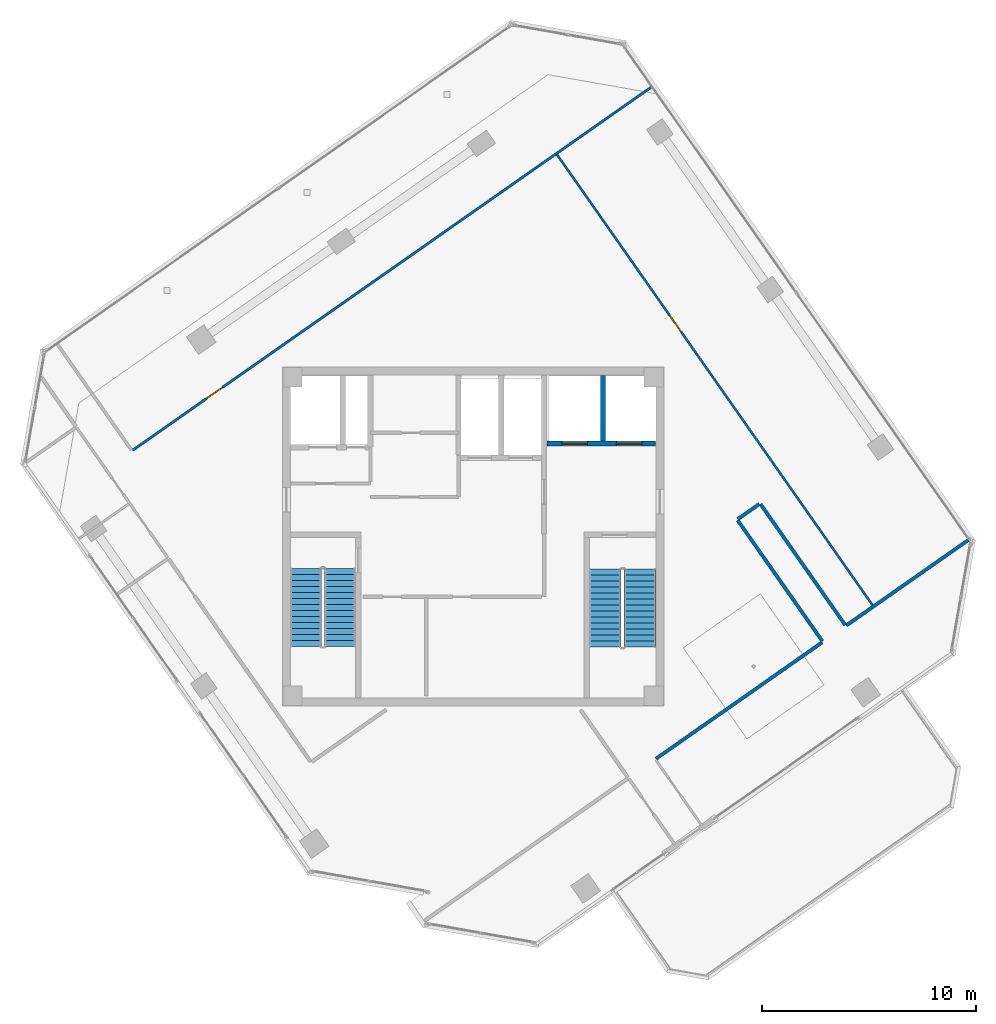
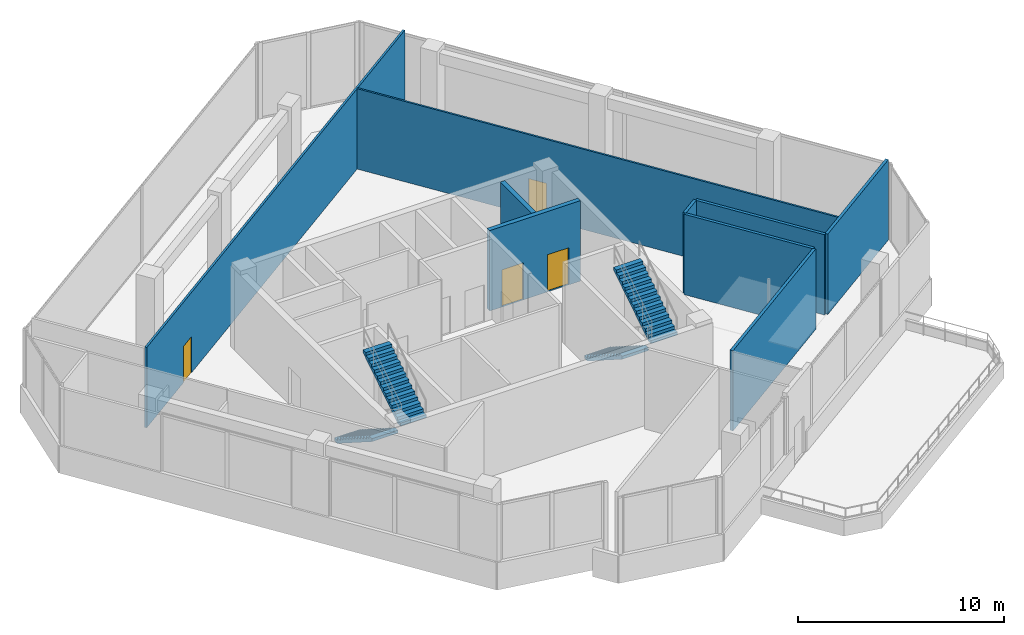
# One storey, part 12 of 16: 9 walls, 4 doors, 4 stair flights, 4 openings, 2 elements without a shape of their own.
"""IFC4 building model written with IfcOpenShell, lengths in metres."""

from ifc_helpers import new_model, si_unit, direction, frame, frame_2d, origin, place, context, subcontext, project, spatial, polyline, rectangle, outline, extrude, source, transform, mapped, material, layer, layer_set, type_object, element, fill, aggregate, save


model = new_model("IFC4")

# Units and contexts
model_context = context("Model", 3, precision=1e-05, world=origin(), true_north=direction((0.0, 1.0)))
body_context = subcontext(model_context, "Body", "Model", "MODEL_VIEW")
ifc_project = project(units=[si_unit("LENGTHUNIT", "METRE"), si_unit("AREAUNIT", "SQUARE_METRE"), si_unit("VOLUMEUNIT", "CUBIC_METRE"), si_unit("PLANEANGLEUNIT", "RADIAN"), si_unit("MASSUNIT", "GRAM", prefix="KILO")], contexts=[model_context])

# Site, building, storey
site_placement = place(None, origin())
site = spatial("IfcSite", under=ifc_project, at=site_placement, CompositionType="ELEMENT")
building_placement = place(site_placement, origin())
building = spatial("IfcBuilding", under=site, at=building_placement, Name="Torre Montelarca", CompositionType="ELEMENT")
storey_placement = place(building_placement, frame((0.0, 0.0, 293.800048828125)))
storey = spatial("IfcBuildingStorey", under=building, at=storey_placement, Name="L66", CompositionType="ELEMENT", Elevation=293.800048828125)

# Wall, openings, doors
ifc_material_1 = material(Name="Concrete C40/50", Category="concrete")
ifc_layer_1 = layer(ifc_material_1, 0.25, Name="Concrete C40/50", Category="concrete")
ifc_layer_set_1 = layer_set([ifc_layer_1], Name="Concrete C40/50")
wall_type_1 = type_object("IfcWallType", Name="CW-SHAFT-250", PredefinedType="SHEAR", material=ifc_layer_set_1)
wall_1_placement = place(storey_placement, frame((21.449951171875, 36.35009765625, 0.0), z_axis=(0.0, 0.0, 1.0), x_axis=(1.0, 0.0, 0.0)))
wall_1 = element("IfcWall", 1, at=wall_1_placement, inside=storey, type_object=wall_type_1, Name="L66 Core Shear Wall SH-FF-S", PredefinedType="SHEAR", context=body_context, shape_type="SweptSolid", body=[
    extrude(rectangle(XDim=5.090087890625, YDim=0.25, at=frame_2d((2.544921875, 0.0))), origin(), (0.0, 0.0, 1.0), 4.760009765625),
])
opening_1_placement = place(wall_1_placement, frame((0.699951171875, 0.0, 0.0)))
opening_1 = element("IfcOpeningElement", 2, at=opening_1_placement, cuts=wall_1, Name="Opening LD-120", PredefinedType="OPENING", context=body_context, shape_type="SweptSolid", body=[
    extrude(rectangle(XDim=1.199951171875, YDim=2.199951171875, at=frame_2d((0.60009765625, 1.10009765625))), frame((0.0, 0.135009765625, 0.0), z_axis=(0.0, -1.0, 0.0), x_axis=(1.0, 0.0, 0.0)), (0.0, 0.0, 1.0), 0.27001953125),
])
opening_2_placement = place(wall_1_placement, frame((3.25, 0.0, 0.0)))
opening_2 = element("IfcOpeningElement", 3, at=opening_2_placement, cuts=wall_1, Name="Opening LD-120", PredefinedType="OPENING", context=body_context, shape_type="SweptSolid", body=[
    extrude(rectangle(XDim=1.199951171875, YDim=2.199951171875, at=frame_2d((0.60009765625, 1.10009765625))), frame((0.0, 0.135009765625, 0.0), z_axis=(0.0, -1.0, 0.0), x_axis=(1.0, 0.0, 0.0)), (0.0, 0.0, 1.0), 0.27001953125),
])
ifc_material_2 = material(Name="Brushed stainless steel AISI 316", Category="steel")
door_type_1 = type_object("IfcDoorType", Name="DR-LIFT-120", OperationType="SLIDING_TO_RIGHT", PredefinedType="DOOR", material=ifc_material_2)
shared_shape_1 = source(origin(), body_context, "Body", "SweptSolid", [
    extrude(rectangle(XDim=1.199951171875, YDim=2.199951171875, at=frame_2d((0.60009765625, 1.10009765625))), frame((0.0, 0.02490234375, 0.0), z_axis=(0.0, -1.0, 0.0), x_axis=(1.0, 0.0, 0.0)), (0.0, 0.0, 1.0), 0.050048828125),
])
door_1_placement = place(opening_1_placement, origin())
door_1 = element("IfcDoor", 4, at=door_1_placement, inside=storey, type_object=door_type_1, Name="L66 Lift Landing Sliding Door FF-1", OperationType="SLIDING_TO_LEFT", OverallHeight=2.199951171875, OverallWidth=1.199951171875, PredefinedType="DOOR", context=body_context, shape_type="MappedRepresentation", body=[
    mapped(shared_shape_1, transform((0.0, 0.0, 0.0), scale=1.0)),
])
fill(opening_1, door_1)
door_2_placement = place(opening_2_placement, origin())
door_2 = element("IfcDoor", 5, at=door_2_placement, inside=storey, type_object=door_type_1, Name="L66 Lift Landing Sliding Door FF-2", OperationType="SLIDING_TO_RIGHT", OverallHeight=2.199951171875, OverallWidth=1.199951171875, PredefinedType="DOOR", context=body_context, shape_type="MappedRepresentation", body=[
    mapped(shared_shape_1, transform((0.0, 0.0, 0.0), scale=1.0)),
])
fill(opening_2, door_2)

# Walls
wall_2_placement = place(storey_placement, frame((24.080078125, 36.47998046875, 0.0), z_axis=(0.0, 0.0, 1.0), x_axis=(0.0, 1.0, 0.0)))
element("IfcWall", 6, at=wall_2_placement, inside=storey, type_object=wall_type_1, Name="L66 Core Shear Wall SH-FF-M", PredefinedType="SHEAR", context=body_context, shape_type="SweptSolid", body=[
    extrude(rectangle(XDim=3.06005859375, YDim=0.25, at=frame_2d((1.530029296875, 0.0))), origin(), (0.0, 0.0, 1.0), 4.760009765625),
])
ifc_material_3 = material(Name="Gypsum plasterboard on steel stud", Category="steel")
ifc_layer_2 = layer(ifc_material_3, 0.159912109375, Name="Gypsum plasterboard on steel stud", Category="steel")
ifc_layer_set_2 = layer_set([ifc_layer_2], Name="Gypsum plasterboard on steel stud")
wall_type_2 = type_object("IfcWallType", Name="PW-FIRE-160", PredefinedType="PARTITIONING", material=ifc_layer_set_2)
wall_3_placement = place(storey_placement, frame((26.559326171875, 21.601318359375, 0.0), z_axis=(0.0, 0.0, 1.0), x_axis=(0.819143682501, 0.573588378036, 0.0)))
element("IfcWall", 7, at=wall_3_placement, inside=storey, type_object=wall_type_2, Name="L66 Interior Partition W-L66-ECN", PredefinedType="PARTITIONING", context=body_context, shape_type="SweptSolid", body=[
    extrude(rectangle(XDim=9.489990234375, YDim=0.159912109375, at=frame_2d((4.7451171875, 0.0))), origin(), (0.0, 0.0, 1.0), 4.760009765625),
])
wall_4_placement = place(storey_placement, frame((30.37939453125, 32.760498046875, 0.0), z_axis=(0.0, 0.0, 1.0), x_axis=(0.573609352737, -0.819128995002, 0.0)))
element("IfcWall", 8, at=wall_4_placement, inside=storey, type_object=wall_type_2, Name="L66 Interior Partition W-L66-ECNS1", PredefinedType="PARTITIONING", context=body_context, shape_type="SweptSolid", body=[
    extrude(rectangle(XDim=6.909912109375, YDim=0.159912109375, at=frame_2d((3.455078125, 0.0))), origin(), (0.0, 0.0, 1.0), 4.760009765625),
])
wall_5_placement = place(storey_placement, frame((30.389404296875, 32.81640625, 0.0), z_axis=(0.0, 0.0, 1.0), x_axis=(0.819129336916, 0.573608864475, 0.0)))
element("IfcWall", 9, at=wall_5_placement, inside=storey, type_object=wall_type_2, Name="L66 Interior Partition W-L66-ECNW1", PredefinedType="PARTITIONING", context=body_context, shape_type="SweptSolid", body=[
    extrude(rectangle(XDim=1.22998046875, YDim=0.159912109375, at=frame_2d((0.614990234375, 0.0))), origin(), (0.0, 0.0, 1.0), 4.760009765625),
])
wall_6_placement = place(storey_placement, frame((31.45263671875, 33.511962890625, 0.0), z_axis=(0.0, 0.0, 1.0), x_axis=(0.573585645457, -0.819145595927, 0.0)))
element("IfcWall", 10, at=wall_6_placement, inside=storey, type_object=wall_type_2, Name="L66 Interior Partition W-L66-ECNN1", PredefinedType="PARTITIONING", context=body_context, shape_type="SweptSolid", body=[
    extrude(rectangle(XDim=6.909912109375, YDim=0.159912109375, at=frame_2d((3.455078125, 0.0))), origin(), (0.0, 0.0, 1.0), 4.760009765625),
])
wall_7_placement = place(storey_placement, frame((35.4716796875, 27.841796875, 0.0), z_axis=(0.0, 0.0, 1.0), x_axis=(0.819151164872, 0.573577692287, 0.0)))
element("IfcWall", 11, at=wall_7_placement, inside=storey, type_object=wall_type_2, Name="L66 Interior Partition W-L66-ECN2", PredefinedType="PARTITIONING", context=body_context, shape_type="SweptSolid", body=[
    extrude(rectangle(XDim=6.960205078125, YDim=0.159912109375, at=frame_2d((3.47998046875, 0.0))), origin(), (0.0, 0.0, 1.0), 4.760009765625),
])

# Wall, opening, door
ifc_material_4 = material(Name="Acoustic laminated glass partition", Category="glass")
ifc_layer_3 = layer(ifc_material_4, 0.10009765625, Name="Acoustic laminated glass partition", Category="glass")
ifc_layer_set_3 = layer_set([ifc_layer_3], Name="Acoustic laminated glass partition")
wall_type_3 = type_object("IfcWallType", Name="PW-GLAZ-100", PredefinedType="PARTITIONING", material=ifc_layer_set_3)
wall_8_placement = place(storey_placement, frame((21.917724609375, 49.8837890625, 0.0), z_axis=(0.0, 0.0, 1.0), x_axis=(0.57358495776, -0.819146077468, 0.0)))
wall_8 = element("IfcWall", 12, at=wall_8_placement, inside=storey, type_object=wall_type_3, Name="L66 Interior Partition W-L66-NBOT", PredefinedType="PARTITIONING", context=body_context, shape_type="SweptSolid", body=[
    extrude(rectangle(XDim=25.7900390625, YDim=0.10009765625, at=frame_2d((12.89501953125, 0.0))), origin(), (0.0, 0.0, 1.0), 4.760009765625),
])
opening_3_placement = place(wall_8_placement, frame((9.199951171875, 0.0, 0.0)))
opening_3 = element("IfcOpeningElement", 13, at=opening_3_placement, cuts=wall_8, Name="Opening ID-095", PredefinedType="OPENING", context=body_context, shape_type="SweptSolid", body=[
    extrude(rectangle(XDim=0.949951171875, YDim=2.14990234375, at=frame_2d((0.47509765625, 1.074951171875))), frame((0.0, 0.06005859375, 0.0), z_axis=(0.0, -1.0, 0.0), x_axis=(1.0, 0.0, 0.0)), (0.0, 0.0, 1.0), 0.1201171875),
])
ifc_material_5 = material(Name="Hardwood acoustic timber veneer", Category="wood")
door_type_2 = type_object("IfcDoorType", Name="DR-INT-095", OperationType="NOTDEFINED", PredefinedType="DOOR", material=ifc_material_5)
shared_shape_2 = source(origin(), body_context, "Body", "SweptSolid", [
    extrude(rectangle(XDim=0.949951171875, YDim=2.14990234375, at=frame_2d((0.47509765625, 1.074951171875))), frame((0.0, 0.02490234375, 0.0), z_axis=(0.0, -1.0, 0.0), x_axis=(1.0, 0.0, 0.0)), (0.0, 0.0, 1.0), 0.050048828125),
])
door_3_placement = place(opening_3_placement, origin())
door_3 = element("IfcDoor", 14, at=door_3_placement, inside=storey, type_object=door_type_2, Name="L66 Interior Door 09", OperationType="SINGLE_SWING_LEFT", OverallHeight=2.14990234375, OverallWidth=0.949951171875, PredefinedType="DOOR", context=body_context, shape_type="MappedRepresentation", body=[
    mapped(shared_shape_2, transform((0.0, 0.0, 0.0), scale=1.0)),
])
fill(opening_3, door_3)

ifc_layer_4 = layer(ifc_material_3, 0.114990234375, Name="Gypsum plasterboard on steel stud", Category="steel")
ifc_layer_set_4 = layer_set([ifc_layer_4], Name="Gypsum plasterboard on steel stud")
wall_type_4 = type_object("IfcWallType", Name="PW-PART-115", PredefinedType="PARTITIONING", material=ifc_layer_set_4)
wall_9_placement = place(storey_placement, frame((2.0712890625, 36.0361328125, 0.0), z_axis=(0.0, 0.0, 1.0), x_axis=(0.819154854942, 0.573572422302, 0.0)))
wall_9 = element("IfcWall", 15, at=wall_9_placement, inside=storey, type_object=wall_type_4, Name="L66 Interior Partition W-L66-WWGE", PredefinedType="PARTITIONING", context=body_context, shape_type="SweptSolid", body=[
    extrude(rectangle(XDim=29.6201171875, YDim=0.114990234375, at=frame_2d((14.81005859375, 0.0))), origin(), (0.0, 0.0, 1.0), 4.760009765625),
])
opening_4_placement = place(wall_9_placement, frame((4.199951171875, 0.0, 0.0)))
opening_4 = element("IfcOpeningElement", 16, at=opening_4_placement, cuts=wall_9, Name="Opening ID-095", PredefinedType="OPENING", context=body_context, shape_type="SweptSolid", body=[
    extrude(rectangle(XDim=0.949951171875, YDim=2.14990234375, at=frame_2d((0.47509765625, 1.074951171875))), frame((0.0, 0.0673828125, 0.0), z_axis=(0.0, -1.0, 0.0), x_axis=(1.0, 0.0, 0.0)), (0.0, 0.0, 1.0), 0.135009765625),
])
door_4_placement = place(opening_4_placement, origin())
door_4 = element("IfcDoor", 17, at=door_4_placement, inside=storey, type_object=door_type_2, Name="L66 Interior Door 10", OperationType="SINGLE_SWING_LEFT", OverallHeight=2.14990234375, OverallWidth=0.949951171875, PredefinedType="DOOR", context=body_context, shape_type="MappedRepresentation", body=[
    mapped(shared_shape_2, transform((0.0, 0.0, 0.0), scale=1.0)),
])
fill(opening_4, door_4)

# Stair, stair flights
stair_type_1 = type_object("IfcStairType", Name="ST-CORE-ST1", PredefinedType="HALF_TURN_STAIR", material=ifc_material_1)
stair_1_placement = place(storey_placement, origin())
stair_1 = element("IfcStair", 18, at=stair_1_placement, inside=storey, type_object=stair_type_1, Name="L66 Protected Exit Stair ST1", PredefinedType="HALF_TURN_STAIR")
stair_flight_type_1 = type_object("IfcStairFlightType", Name="SFL-CORE-ST1", PredefinedType="STRAIGHT", material=ifc_material_1)
stair_flight_1_placement = place(storey_placement, frame((10.175048828125, 30.5, 0.0), z_axis=(0.0, 0.0, 1.0), x_axis=(0.0, -1.0, 0.0)))
stair_flight_1 = element("IfcStairFlight", 19, at=stair_flight_1_placement, type_object=stair_flight_type_1, Name="ST1 flight 1", NumberOfRisers=14, NumberOfTreads=13, PredefinedType="STRAIGHT", RiserHeight=0.178571429, TreadLength=0.28, context=body_context, shape_type="SweptSolid", body=[
    extrude(outline(polyline([(0.0, 0.0), (0.0, 0.178466796875), (0.280029296875, 0.178466796875), (0.280029296875, 0.357177734375), (0.56005859375, 0.357177734375), (0.56005859375, 0.53564453125), (0.840087890625, 0.53564453125), (0.840087890625, 0.71435546875), (1.1201171875, 0.71435546875), (1.1201171875, 0.892822265625), (1.39990234375, 0.892822265625), (1.39990234375, 1.071533203125), (1.679931640625, 1.071533203125), (1.679931640625, 1.25), (1.9599609375, 1.25), (1.9599609375, 1.428466796875), (2.239990234375, 1.428466796875), (2.239990234375, 1.607177734375), (2.52001953125, 1.607177734375), (2.52001953125, 1.78564453125), (2.800048828125, 1.78564453125), (2.800048828125, 1.96435546875), (3.080078125, 1.96435546875), (3.080078125, 2.142822265625), (3.360107421875, 2.142822265625), (3.360107421875, 2.321533203125), (3.639892578125, 2.321533203125), (3.639892578125, 2.5), (3.639892578125, 2.1435546875), (0.27880859375, 0.0), (0.0, 0.0)])), frame((0.0, 0.72509765625, 0.0), z_axis=(0.0, -1.0, 0.0), x_axis=(1.0, 0.0, 0.0)), (0.0, 0.0, 1.0), 1.449951171875),
])
stair_flight_2_placement = place(storey_placement, frame((11.77490234375, 26.860107421875, 2.5), z_axis=(0.0, 0.0, 1.0), x_axis=(0.0, 1.0, 0.0)))
stair_flight_2 = element("IfcStairFlight", 20, at=stair_flight_2_placement, type_object=stair_flight_type_1, Name="ST1 flight 2", NumberOfRisers=14, NumberOfTreads=13, PredefinedType="STRAIGHT", RiserHeight=0.178571429, TreadLength=0.28, context=body_context, shape_type="SweptSolid", body=[
    extrude(outline(polyline([(0.0, 0.0), (0.0, 0.178466796875), (0.280029296875, 0.178466796875), (0.280029296875, 0.357177734375), (0.56005859375, 0.357177734375), (0.56005859375, 0.53564453125), (0.840087890625, 0.53564453125), (0.840087890625, 0.71435546875), (1.1201171875, 0.71435546875), (1.1201171875, 0.892822265625), (1.39990234375, 0.892822265625), (1.39990234375, 1.071533203125), (1.679931640625, 1.071533203125), (1.679931640625, 1.25), (1.9599609375, 1.25), (1.9599609375, 1.428466796875), (2.239990234375, 1.428466796875), (2.239990234375, 1.607177734375), (2.52001953125, 1.607177734375), (2.52001953125, 1.78564453125), (2.800048828125, 1.78564453125), (2.800048828125, 1.96435546875), (3.080078125, 1.96435546875), (3.080078125, 2.142822265625), (3.360107421875, 2.142822265625), (3.360107421875, 2.321533203125), (3.639892578125, 2.321533203125), (3.639892578125, 2.5), (3.639892578125, 2.1435546875), (0.27880859375, 0.0), (0.0, 0.0)])), frame((0.0, 0.72509765625, 0.0), z_axis=(0.0, -1.0, 0.0), x_axis=(1.0, 0.0, 0.0)), (0.0, 0.0, 1.0), 1.449951171875),
])
aggregate(stair_1, [stair_flight_1, stair_flight_2])

stair_type_2 = type_object("IfcStairType", Name="ST-CORE-ST2", PredefinedType="HALF_TURN_STAIR", material=ifc_material_1)
stair_2_placement = place(storey_placement, origin())
stair_2 = element("IfcStair", 21, at=stair_2_placement, inside=storey, type_object=stair_type_2, Name="L66 Protected Exit Stair ST2", PredefinedType="HALF_TURN_STAIR")
stair_flight_type_2 = type_object("IfcStairFlightType", Name="SFL-CORE-ST2", PredefinedType="STRAIGHT", material=ifc_material_1)
stair_flight_3_placement = place(storey_placement, frame((24.179931640625, 30.469970703125, 0.0), z_axis=(0.0, 0.0, 1.0), x_axis=(0.0, -1.0, 0.0)))
stair_flight_3 = element("IfcStairFlight", 22, at=stair_flight_3_placement, type_object=stair_flight_type_2, Name="ST2 flight 1", NumberOfRisers=14, NumberOfTreads=13, PredefinedType="STRAIGHT", RiserHeight=0.178571429, TreadLength=0.28, context=body_context, shape_type="SweptSolid", body=[
    extrude(outline(polyline([(0.0, 0.0), (0.0, 0.178466796875), (0.280029296875, 0.178466796875), (0.280029296875, 0.357177734375), (0.56005859375, 0.357177734375), (0.56005859375, 0.53564453125), (0.840087890625, 0.53564453125), (0.840087890625, 0.71435546875), (1.1201171875, 0.71435546875), (1.1201171875, 0.892822265625), (1.39990234375, 0.892822265625), (1.39990234375, 1.071533203125), (1.679931640625, 1.071533203125), (1.679931640625, 1.25), (1.9599609375, 1.25), (1.9599609375, 1.428466796875), (2.239990234375, 1.428466796875), (2.239990234375, 1.607177734375), (2.52001953125, 1.607177734375), (2.52001953125, 1.78564453125), (2.800048828125, 1.78564453125), (2.800048828125, 1.96435546875), (3.080078125, 1.96435546875), (3.080078125, 2.142822265625), (3.360107421875, 2.142822265625), (3.360107421875, 2.321533203125), (3.639892578125, 2.321533203125), (3.639892578125, 2.5), (3.639892578125, 2.1435546875), (0.27880859375, 0.0), (0.0, 0.0)])), frame((0.0, 0.739990234375, 0.0), z_axis=(0.0, -1.0, 0.0), x_axis=(1.0, 0.0, 0.0)), (0.0, 0.0, 1.0), 1.47998046875),
])
stair_flight_4_placement = place(storey_placement, frame((25.81005859375, 26.830078125, 2.5), z_axis=(0.0, 0.0, 1.0), x_axis=(0.0, 1.0, 0.0)))
stair_flight_4 = element("IfcStairFlight", 23, at=stair_flight_4_placement, type_object=stair_flight_type_2, Name="ST2 flight 2", NumberOfRisers=14, NumberOfTreads=13, PredefinedType="STRAIGHT", RiserHeight=0.178571429, TreadLength=0.28, context=body_context, shape_type="SweptSolid", body=[
    extrude(outline(polyline([(0.0, 0.0), (0.0, 0.178466796875), (0.280029296875, 0.178466796875), (0.280029296875, 0.357177734375), (0.56005859375, 0.357177734375), (0.56005859375, 0.53564453125), (0.840087890625, 0.53564453125), (0.840087890625, 0.71435546875), (1.1201171875, 0.71435546875), (1.1201171875, 0.892822265625), (1.39990234375, 0.892822265625), (1.39990234375, 1.071533203125), (1.679931640625, 1.071533203125), (1.679931640625, 1.25), (1.9599609375, 1.25), (1.9599609375, 1.428466796875), (2.239990234375, 1.428466796875), (2.239990234375, 1.607177734375), (2.52001953125, 1.607177734375), (2.52001953125, 1.78564453125), (2.800048828125, 1.78564453125), (2.800048828125, 1.96435546875), (3.080078125, 1.96435546875), (3.080078125, 2.142822265625), (3.360107421875, 2.142822265625), (3.360107421875, 2.321533203125), (3.639892578125, 2.321533203125), (3.639892578125, 2.5), (3.639892578125, 2.1435546875), (0.27880859375, 0.0), (0.0, 0.0)])), frame((0.0, 0.739990234375, 0.0), z_axis=(0.0, -1.0, 0.0), x_axis=(1.0, 0.0, 0.0)), (0.0, 0.0, 1.0), 1.47998046875),
])
aggregate(stair_2, [stair_flight_3, stair_flight_4])

save(model, "model.ifc")
